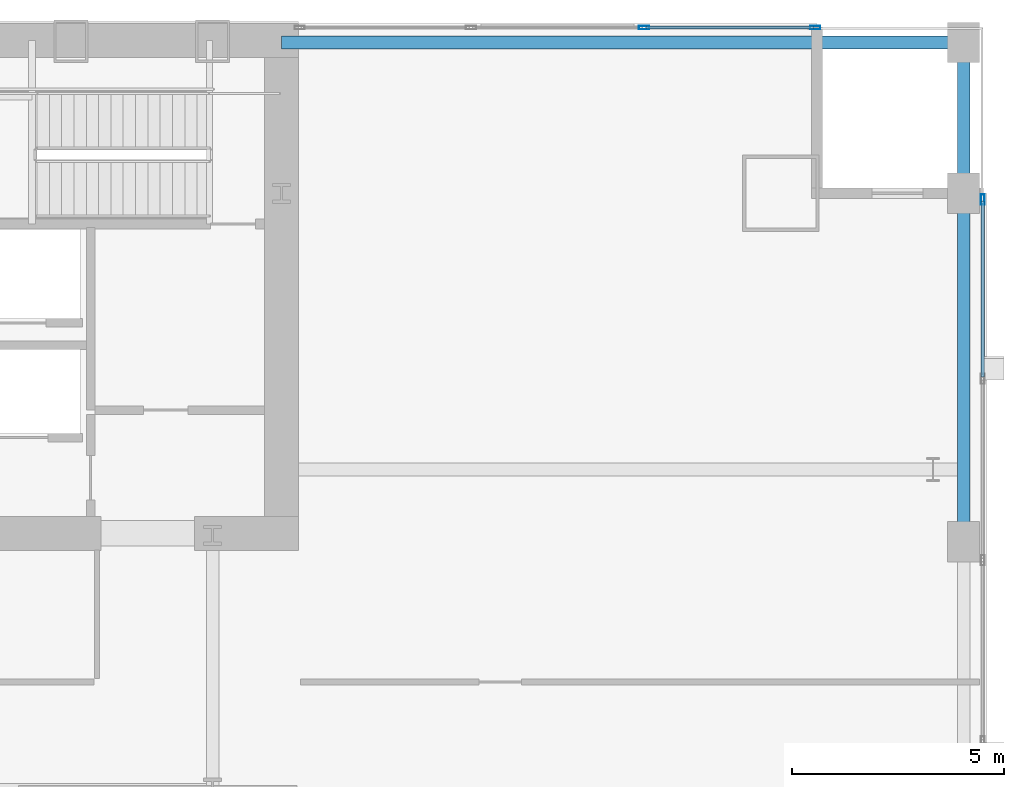
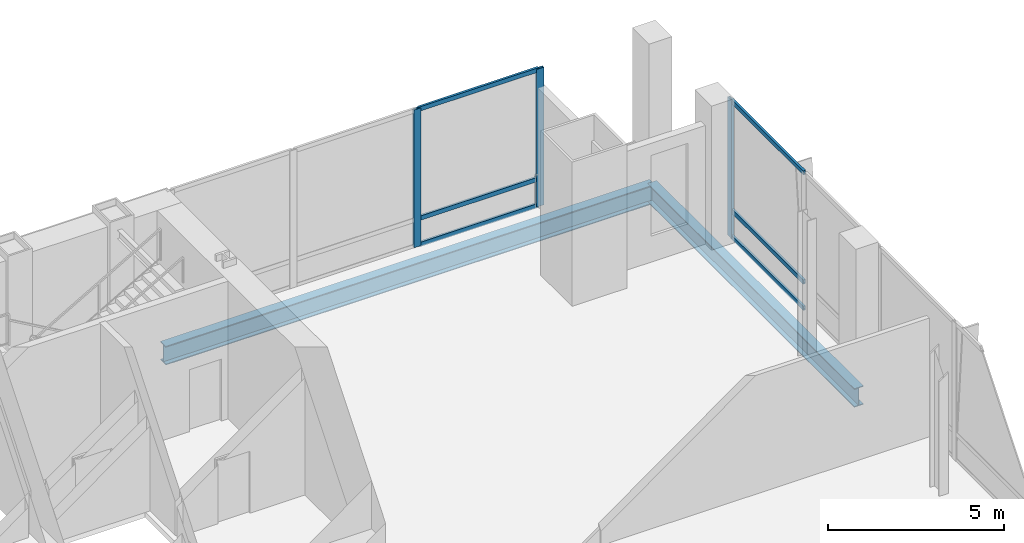
# One storey, part 17 of 25: 9 members, 2 beams, 2 elements without a shape of their own.
"""IFC4 building model written with IfcOpenShell, lengths in metres."""

from ifc_helpers import new_model, si_unit, direction, frame, origin, origin_2d, place, context, subcontext, project, spatial, hollow_rectangle, i_section, extrude, material, material_profile, profile_set, type_object, element, aggregate, save


model = new_model("IFC4")

# Units and contexts
model_context = context("Model", 3, precision=1e-05, world=origin(), true_north=direction((0.0, 1.0)))
body_context = subcontext(model_context, "Body", "Model", "MODEL_VIEW")
ifc_project = project(units=[si_unit("LENGTHUNIT", "METRE"), si_unit("AREAUNIT", "SQUARE_METRE"), si_unit("VOLUMEUNIT", "CUBIC_METRE"), si_unit("PLANEANGLEUNIT", "RADIAN"), si_unit("MASSUNIT", "GRAM", prefix="KILO")], contexts=[model_context])

# Site, building, storey
site_placement = place(None, origin())
site = spatial("IfcSite", under=ifc_project, at=site_placement, CompositionType="ELEMENT")
building_placement = place(site_placement, origin())
building = spatial("IfcBuilding", under=site, at=building_placement, Name="Khoronbel Lancet Exchange", CompositionType="ELEMENT")
storey_placement = place(building_placement, frame((0.0, 0.0, 15.39990234375)))
storey = spatial("IfcBuildingStorey", under=building, at=storey_placement, Name="L03", CompositionType="ELEMENT", Elevation=15.39990234375)

# Beams
ifc_material_1 = material(Name="Steel S355", Category="steel")
ifc_material_profile_1 = material_profile(ifc_material_1, i_section(OverallWidth=0.300048828125, OverallDepth=0.64990234375, WebThickness=0.01611328125, FlangeThickness=0.031005859375, at=origin_2d()), Name="HEB 650")
ifc_profile_set_1 = profile_set([ifc_material_profile_1], Name="Steel S355")
beam_type = type_object("IfcBeamType", Name="BM-BSP1", PredefinedType="SPANDREL", material=ifc_profile_set_1)
beam_1_placement = place(storey_placement, frame((72.35009765625, 41.5, -0.52490234375), z_axis=(0.0, 1.0, 0.0), x_axis=(-1.0, 0.0, 0.0)))
element("IfcBeam", 1, at=beam_1_placement, inside=storey, type_object=beam_type, Name="Level L03 perimeter spandrel beam SP12", PredefinedType="SPANDREL", context=body_context, shape_type="SweptSolid", body=[
    extrude(i_section(OverallWidth=0.300048828125, OverallDepth=0.64990234375, WebThickness=0.01611328125, FlangeThickness=0.031005859375, at=origin_2d()), origin(), (0.0, 0.0, 1.0), 11.75),
])
beam_2_placement = place(storey_placement, frame((72.35009765625, 53.25, -0.52490234375), z_axis=(-1.0, 0.0, 0.0), x_axis=(0.0, -1.0, 0.0)))
element("IfcBeam", 2, at=beam_2_placement, inside=storey, type_object=beam_type, Name="Level L03 perimeter spandrel beam SP13", PredefinedType="SPANDREL", context=body_context, shape_type="SweptSolid", body=[
    extrude(i_section(OverallWidth=0.300048828125, OverallDepth=0.64990234375, WebThickness=0.01611328125, FlangeThickness=0.031005859375, at=origin_2d()), origin(), (0.0, 0.0, 1.0), 16.050048828125),
])

# Curtain wall, member
ifc_material_2 = material(Name="Low-E Solar Control Insulating Glass", Category="glass")
curtain_wall_type = type_object("IfcCurtainWallType", Name="CW-5", PredefinedType="NOTDEFINED", material=ifc_material_2)
curtain_wall_1_placement = place(storey_placement, origin())
curtain_wall_1 = element("IfcCurtainWall", 3, at=curtain_wall_1_placement, inside=storey, type_object=curtain_wall_type, Name="Unitised curtain wall CW-L03-EAST", PredefinedType="NOTDEFINED")
ifc_material_3 = material(Name="Bronze-Anodised Aluminium 6063-T6", Category="aluminium")
ifc_material_profile_2 = material_profile(ifc_material_3, hollow_rectangle(XDim=0.0849609375, YDim=0.239990234375, WallThickness=0.006103515625, at=origin_2d()), Name="ALU MULLION 85x240")
ifc_profile_set_2 = profile_set([ifc_material_profile_2], Name="Bronze-Anodised Aluminium 6063-T6")
member_type_1 = type_object("IfcMemberType", Name="MEM-CWM1", PredefinedType="MULLION", material=ifc_profile_set_2)
member_1_placement = place(storey_placement, frame((72.800048828125, 49.5576171875, 0.0), z_axis=(0.0, 0.0, 1.0), x_axis=(-1.0, 0.0, 0.0)))
member_1 = element("IfcMember", 4, at=member_1_placement, type_object=member_type_1, Name="CW5 mullion 10", PredefinedType="MULLION", context=body_context, shape_type="SweptSolid", body=[
    extrude(hollow_rectangle(XDim=0.0849609375, YDim=0.239990234375, WallThickness=0.006103515625, at=origin_2d()), origin(), (0.0, 0.0, 1.0), 4.780029296875),
])

# Curtain wall, members
curtain_wall_2_placement = place(storey_placement, origin())
curtain_wall_2 = element("IfcCurtainWall", 5, at=curtain_wall_2_placement, inside=storey, type_object=curtain_wall_type, Name="Unitised curtain wall CW-L03-NE", PredefinedType="NOTDEFINED")
member_2_placement = place(storey_placement, frame((64.82666015625, 53.60009765625, 0.0), z_axis=(0.0, 0.0, 1.0), x_axis=(0.0, 1.0, 0.0)))
member_2 = element("IfcMember", 6, at=member_2_placement, type_object=member_type_1, Name="CW5 mullion 3", PredefinedType="MULLION", context=body_context, shape_type="SweptSolid", body=[
    extrude(hollow_rectangle(XDim=0.0849609375, YDim=0.239990234375, WallThickness=0.006103515625, at=origin_2d()), origin(), (0.0, 0.0, 1.0), 4.780029296875),
])
member_3_placement = place(storey_placement, frame((68.857421875, 53.60009765625, 0.0), z_axis=(0.0, 0.0, 1.0), x_axis=(0.0, 1.0, 0.0)))
member_3 = element("IfcMember", 7, at=member_3_placement, type_object=member_type_1, Name="CW5 mullion 4", PredefinedType="MULLION", context=body_context, shape_type="SweptSolid", body=[
    extrude(hollow_rectangle(XDim=0.0849609375, YDim=0.239990234375, WallThickness=0.006103515625, at=origin_2d()), origin(), (0.0, 0.0, 1.0), 4.780029296875),
])

# Member
ifc_material_profile_3 = material_profile(ifc_material_3, hollow_rectangle(XDim=0.074951171875, YDim=0.14990234375, WallThickness=0.00439453125, at=origin_2d()), Name="ALU TRANSOM 75x150")
ifc_profile_set_3 = profile_set([ifc_material_profile_3], Name="Bronze-Anodised Aluminium 6063-T6")
member_type_2 = type_object("IfcMemberType", Name="MEM-CWT2", PredefinedType="USERDEFINED", material=ifc_profile_set_3)
member_4_placement = place(storey_placement, frame((72.800048828125, 45.375732421875, 0.03759765625), z_axis=(0.0, 1.0, 0.0), x_axis=(-1.0, 0.0, 0.0)))
member_4 = element("IfcMember", 8, at=member_4_placement, type_object=member_type_2, Name="CW5 transom 9.1", ObjectType="TRANSOM", PredefinedType="USERDEFINED", context=body_context, shape_type="SweptSolid", body=[
    extrude(hollow_rectangle(XDim=0.074951171875, YDim=0.14990234375, WallThickness=0.00439453125, at=origin_2d()), origin(), (0.0, 0.0, 1.0), 4.13916015625),
])

member_5_placement = place(storey_placement, frame((72.800048828125, 45.375732421875, 0.9501953125), z_axis=(0.0, 1.0, 0.0), x_axis=(-1.0, 0.0, 0.0)))
member_5 = element("IfcMember", 9, at=member_5_placement, type_object=member_type_2, Name="CW5 transom 9.2", ObjectType="TRANSOM", PredefinedType="USERDEFINED", context=body_context, shape_type="SweptSolid", body=[
    extrude(hollow_rectangle(XDim=0.074951171875, YDim=0.14990234375, WallThickness=0.00439453125, at=origin_2d()), origin(), (0.0, 0.0, 1.0), 4.13916015625),
])

member_6_placement = place(storey_placement, frame((72.800048828125, 45.375732421875, 4.74267578125), z_axis=(0.0, 1.0, 0.0), x_axis=(-1.0, 0.0, 0.0)))
member_6 = element("IfcMember", 10, at=member_6_placement, type_object=member_type_2, Name="CW5 transom 9.3", ObjectType="TRANSOM", PredefinedType="USERDEFINED", context=body_context, shape_type="SweptSolid", body=[
    extrude(hollow_rectangle(XDim=0.074951171875, YDim=0.14990234375, WallThickness=0.00439453125, at=origin_2d()), origin(), (0.0, 0.0, 1.0), 4.13916015625),
])

aggregate(curtain_wall_1, [member_1, member_4, member_5, member_6])

member_7_placement = place(storey_placement, frame((64.869140625, 53.60009765625, 0.03759765625), z_axis=(1.0, 0.0, 0.0), x_axis=(0.0, 1.0, 0.0)))
member_7 = element("IfcMember", 11, at=member_7_placement, type_object=member_type_2, Name="CW5 transom 3.1", ObjectType="TRANSOM", PredefinedType="USERDEFINED", context=body_context, shape_type="SweptSolid", body=[
    extrude(hollow_rectangle(XDim=0.074951171875, YDim=0.14990234375, WallThickness=0.00439453125, at=origin_2d()), origin(), (0.0, 0.0, 1.0), 3.94580078125),
])

member_8_placement = place(storey_placement, frame((64.869140625, 53.60009765625, 0.9501953125), z_axis=(1.0, 0.0, 0.0), x_axis=(0.0, 1.0, 0.0)))
member_8 = element("IfcMember", 12, at=member_8_placement, type_object=member_type_2, Name="CW5 transom 3.2", ObjectType="TRANSOM", PredefinedType="USERDEFINED", context=body_context, shape_type="SweptSolid", body=[
    extrude(hollow_rectangle(XDim=0.074951171875, YDim=0.14990234375, WallThickness=0.00439453125, at=origin_2d()), origin(), (0.0, 0.0, 1.0), 3.94580078125),
])

member_9_placement = place(storey_placement, frame((64.869140625, 53.60009765625, 4.74267578125), z_axis=(1.0, 0.0, 0.0), x_axis=(0.0, 1.0, 0.0)))
member_9 = element("IfcMember", 13, at=member_9_placement, type_object=member_type_2, Name="CW5 transom 3.3", ObjectType="TRANSOM", PredefinedType="USERDEFINED", context=body_context, shape_type="SweptSolid", body=[
    extrude(hollow_rectangle(XDim=0.074951171875, YDim=0.14990234375, WallThickness=0.00439453125, at=origin_2d()), origin(), (0.0, 0.0, 1.0), 3.94580078125),
])

aggregate(curtain_wall_2, [member_2, member_3, member_7, member_8, member_9])

save(model, "model.ifc")
